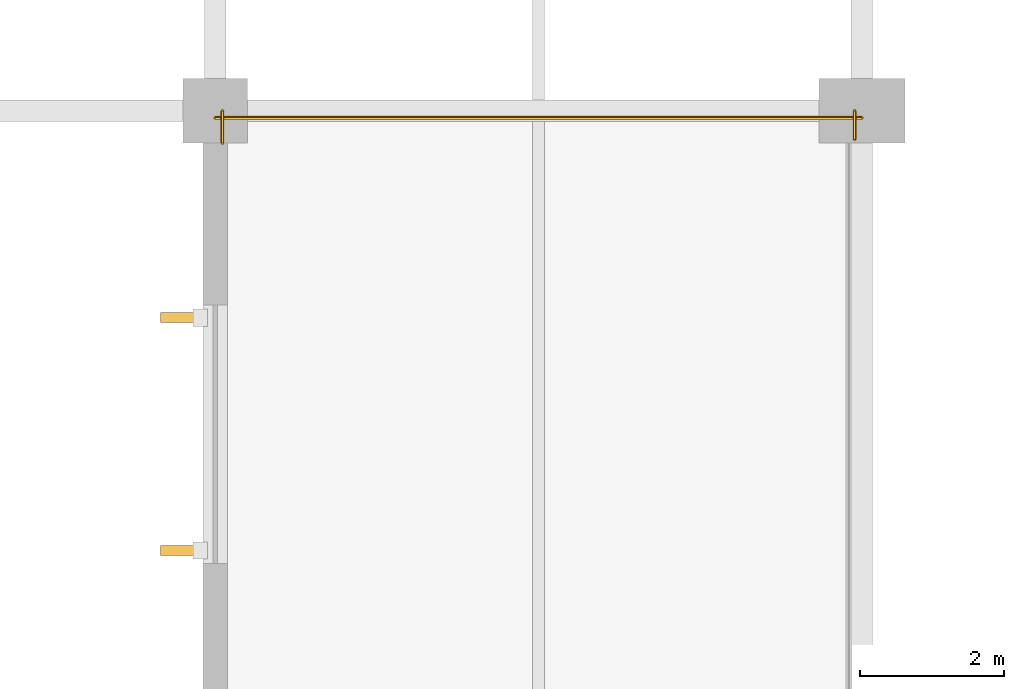
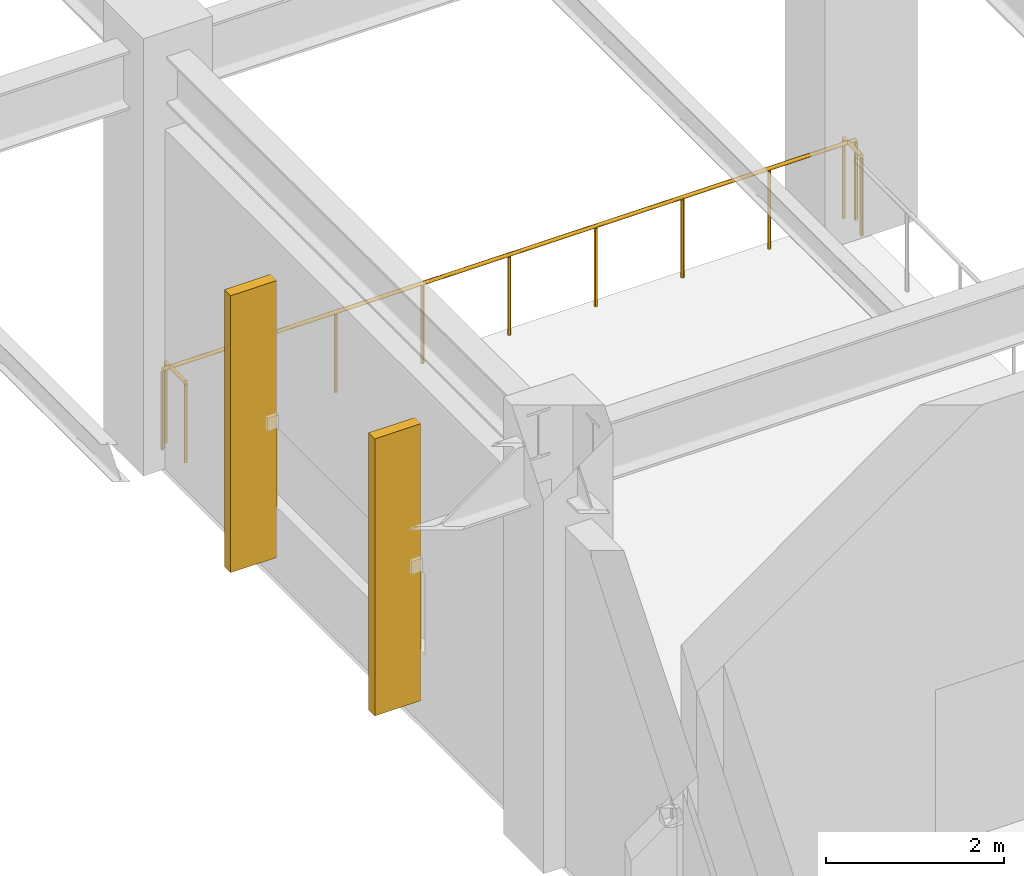
# One storey, part 219 of 223: 3 railings, 2 shading devices.
"""IFC4 building model written with IfcOpenShell, lengths in metres."""

from ifc_helpers import new_model, si_unit, direction, frame, origin, origin_2d, place, context, subcontext, project, spatial, rectangle, circle, extrude, material, layer, layer_set, type_object, element, save


model = new_model("IFC4")

# Units and contexts
model_context = context("Model", 3, precision=1e-05, world=origin(), true_north=direction((0.0, 1.0)))
body_context = subcontext(model_context, "Body", "Model", "MODEL_VIEW")
ifc_project = project(units=[si_unit("LENGTHUNIT", "METRE"), si_unit("AREAUNIT", "SQUARE_METRE"), si_unit("VOLUMEUNIT", "CUBIC_METRE"), si_unit("PLANEANGLEUNIT", "RADIAN"), si_unit("MASSUNIT", "GRAM", prefix="KILO")], contexts=[model_context])

# Site, building, storey
site_placement = place(None, origin())
site = spatial("IfcSite", under=ifc_project, at=site_placement, CompositionType="ELEMENT")
building_placement = place(site_placement, origin())
building = spatial("IfcBuilding", under=site, at=building_placement, Name="Dornveld Trade and Exhibition Forum", CompositionType="ELEMENT")
storey_placement = place(building_placement, frame((0.0, 0.0, 6.0)))
storey = spatial("IfcBuildingStorey", under=building, at=storey_placement, Name="L01", CompositionType="ELEMENT", Elevation=6.0)

# Railings
ifc_material_1 = material(Name="Dark-bronze steel and laminated glass balustrade", Category="steel")
railing_type = type_object("IfcRailingType", Name="RL-BALUST-CONC", PredefinedType="BALUSTRADE", material=ifc_material_1)
railing_1_placement = place(storey_placement, frame((18.10009765625, 134.550537109375, 0.0)))
element("IfcRailing", 1, at=railing_1_placement, inside=storey, type_object=railing_type, Name="L01 deck edge balustrade 91", PredefinedType="BALUSTRADE", context=body_context, shape_type="SweptSolid", body=[
    extrude(circle(Radius=0.02490234375, at=origin_2d()), frame((0.0, 0.0, 1.09521484375), z_axis=(0.0, 1.0, 0.0), x_axis=(-1.0, 0.0, 0.0)), (0.0, 0.0, 1.0), 0.449462890625),
    extrude(circle(Radius=0.02099609375, at=origin_2d()), origin(), (0.0, 0.0, 1.0), 1.070068359375),
    extrude(circle(Radius=0.02099609375, at=origin_2d()), frame((0.0, 0.449462890625, 0.0)), (0.0, 0.0, 1.0), 1.070068359375),
])
railing_2_placement = place(storey_placement, frame((18.0, 134.89990234375, 0.0)))
element("IfcRailing", 2, at=railing_2_placement, inside=storey, type_object=railing_type, Name="L01 deck edge balustrade 92", PredefinedType="BALUSTRADE", context=body_context, shape_type="SweptSolid", body=[
    extrude(circle(Radius=0.02490234375, at=origin_2d()), frame((0.0, 0.0, 1.09521484375), z_axis=(1.0, 0.0, 0.0), x_axis=(0.0, 1.0, 0.0)), (0.0, 0.0, 1.0), 9.0),
    extrude(circle(Radius=0.02099609375, at=origin_2d()), origin(), (0.0, 0.0, 1.0), 1.070068359375),
    extrude(circle(Radius=0.02099609375, at=origin_2d()), frame((1.125, 0.0, 0.0)), (0.0, 0.0, 1.0), 1.070068359375),
    extrude(circle(Radius=0.02099609375, at=origin_2d()), frame((2.25, 0.0, 0.0)), (0.0, 0.0, 1.0), 1.070068359375),
    extrude(circle(Radius=0.02099609375, at=origin_2d()), frame((3.375, 0.0, 0.0)), (0.0, 0.0, 1.0), 1.070068359375),
    extrude(circle(Radius=0.02099609375, at=origin_2d()), frame((4.5, 0.0, 0.0)), (0.0, 0.0, 1.0), 1.070068359375),
    extrude(circle(Radius=0.02099609375, at=origin_2d()), frame((5.625, 0.0, 0.0)), (0.0, 0.0, 1.0), 1.070068359375),
    extrude(circle(Radius=0.02099609375, at=origin_2d()), frame((6.75, 0.0, 0.0)), (0.0, 0.0, 1.0), 1.070068359375),
    extrude(circle(Radius=0.02099609375, at=origin_2d()), frame((7.875, 0.0, 0.0)), (0.0, 0.0, 1.0), 1.070068359375),
    extrude(circle(Radius=0.02099609375, at=origin_2d()), frame((9.0, 0.0, 0.0)), (0.0, 0.0, 1.0), 1.070068359375),
])
railing_3_placement = place(storey_placement, frame((26.89990234375, 135.0, 0.0)))
element("IfcRailing", 3, at=railing_3_placement, inside=storey, type_object=railing_type, Name="L01 deck edge balustrade 93", PredefinedType="BALUSTRADE", context=body_context, shape_type="SweptSolid", body=[
    extrude(circle(Radius=0.02490234375, at=origin_2d()), frame((0.0, 0.0, 1.09521484375), z_axis=(0.0, -1.0, 0.0), x_axis=(1.0, 0.0, 0.0)), (0.0, 0.0, 1.0), 0.39990234375),
    extrude(circle(Radius=0.02099609375, at=origin_2d()), origin(), (0.0, 0.0, 1.0), 1.070068359375),
    extrude(circle(Radius=0.02099609375, at=origin_2d()), frame((0.0, -0.39990234375, 0.0)), (0.0, 0.0, 1.0), 1.070068359375),
])

# Shading devices
ifc_material_2 = material(Name="Precast concrete C50/60", Category="concrete")
ifc_layer = layer(ifc_material_2, 0.139892578125)
ifc_layer_set = layer_set([ifc_layer], Name="Precast concrete C50/60")
shading_device_type = type_object("IfcShadingDeviceType", Name="SHD-FIN-600", PredefinedType="JALOUSIE", material=ifc_layer_set)
for number, where, z_axis, x_axis, name in (
    (4, (17.5400390625, 132.1201171875, 0.2998046875), (0.0, 0.0, 1.0), (0.0, -1.0, 0.0), "L01 vertical solar brise-soleil fin 95"),
    (5, (17.5400390625, 128.8798828125, 0.2998046875), (0.0, 0.0, 1.0), (0.0, -1.0, 0.0), "L01 vertical solar brise-soleil fin 96"),
):
    element("IfcShadingDevice", number, at=place(storey_placement, frame(where, z_axis=z_axis, x_axis=x_axis)), inside=storey, type_object=shading_device_type, Name=name, PredefinedType="JALOUSIE", context=body_context, shape_type="SweptSolid", body=[
        extrude(rectangle(XDim=0.139892578125, YDim=0.60009765625, at=origin_2d()), origin(), (0.0, 0.0, 1.0), 3.800048828125),
    ])

save(model, "model.ifc")
